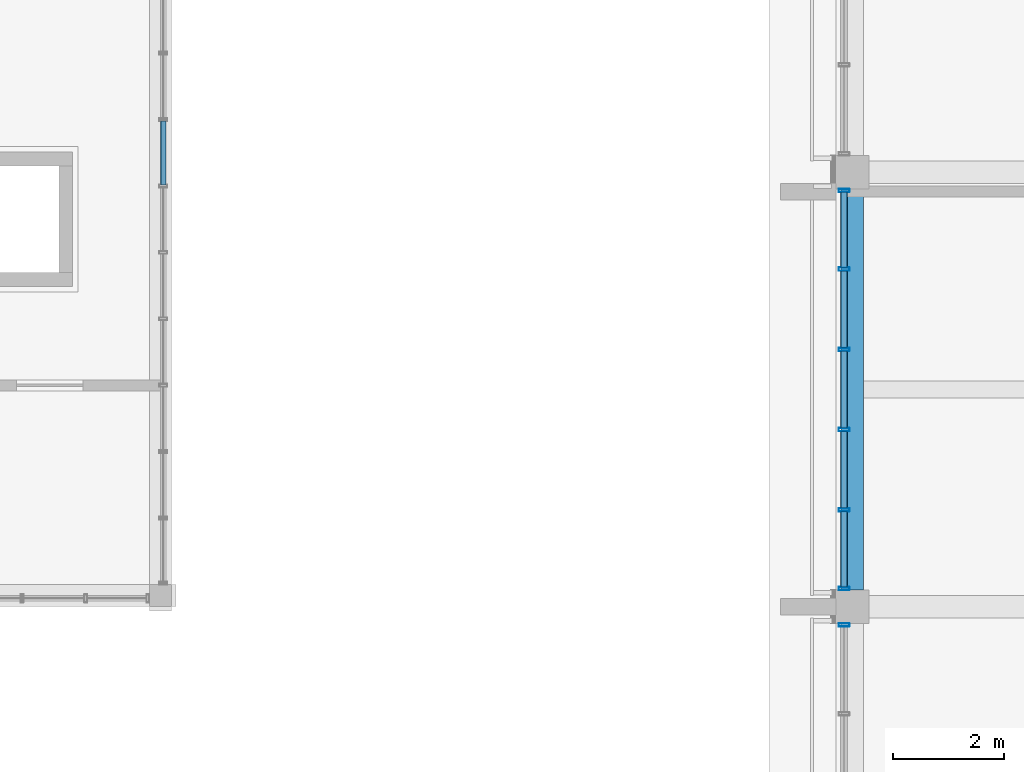
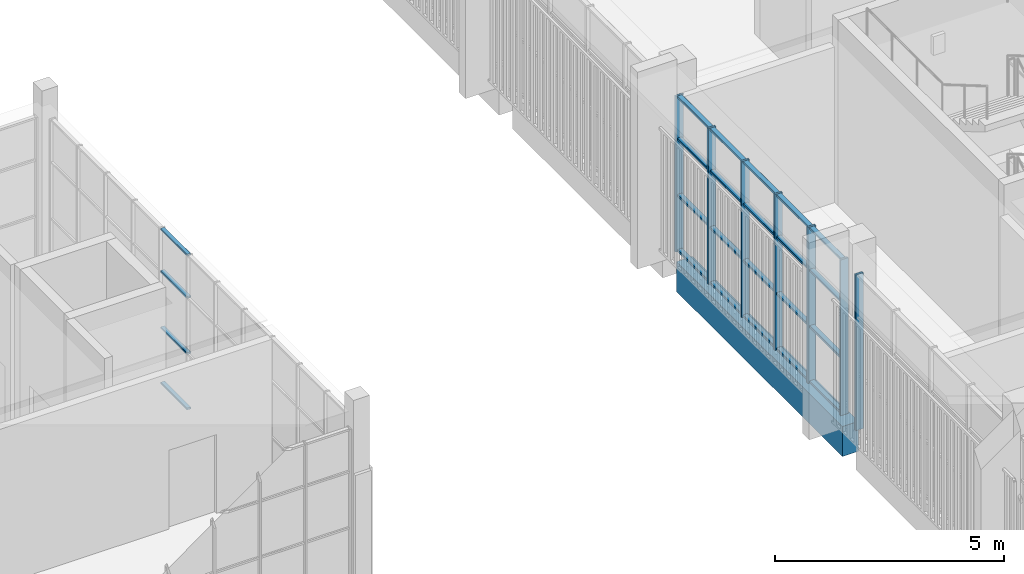
# One storey, part 39 of 125: 31 members, 1 beam, 3 elements without a shape of their own.
"""IFC4 building model written with IfcOpenShell, lengths in metres."""

from ifc_helpers import new_model, si_unit, direction, frame, origin, origin_2d, place, context, subcontext, project, spatial, rectangle, hollow_rectangle, extrude, material, material_profile, profile_set, type_object, element, aggregate, save


model = new_model("IFC4")

# Units and contexts
model_context = context("Model", 3, precision=1e-05, world=origin(), true_north=direction((0.0, 1.0)))
body_context = subcontext(model_context, "Body", "Model", "MODEL_VIEW")
ifc_project = project(units=[si_unit("LENGTHUNIT", "METRE"), si_unit("AREAUNIT", "SQUARE_METRE"), si_unit("VOLUMEUNIT", "CUBIC_METRE"), si_unit("PLANEANGLEUNIT", "RADIAN"), si_unit("MASSUNIT", "GRAM", prefix="KILO")], contexts=[model_context])

# Site, building, storey
site_placement = place(None, origin())
site = spatial("IfcSite", under=ifc_project, at=site_placement, CompositionType="ELEMENT")
building_placement = place(site_placement, origin())
building = spatial("IfcBuilding", under=site, at=building_placement, Name="Sun Court Science Centre", CompositionType="ELEMENT")
storey_placement = place(building_placement, frame((0.0, 0.0, 6.0)))
storey = spatial("IfcBuildingStorey", under=building, at=storey_placement, Name="L01", CompositionType="ELEMENT", Elevation=6.0)

# Curtain wall, member
ifc_material_1 = material(Name="Aluminium EN AW-6063 T6", Category="aluminium")
curtain_wall_type_1 = type_object("IfcCurtainWallType", Name="Laboratory tall bay curtain wall 1500", PredefinedType="NOTDEFINED", material=ifc_material_1)
curtain_wall_1_placement = place(storey_placement, origin())
curtain_wall_1 = element("IfcCurtainWall", 1, at=curtain_wall_1_placement, inside=storey, type_object=curtain_wall_type_1, Name="Curtain wall V4 W L01 03", PredefinedType="NOTDEFINED")
ifc_material_2 = material(Name="Aluminium EN AW-6063 T6", Category="aluminium")
ifc_material_profile_1 = material_profile(ifc_material_2, hollow_rectangle(XDim=0.06005859375, YDim=0.199951171875, WallThickness=0.0048828125, InnerFilletRadius=0.0048828125, OuterFilletRadius=0.007568359375, at=origin_2d()), Name="AL 60x200x5")
ifc_profile_set_1 = profile_set([ifc_material_profile_1], Name="Aluminium EN AW-6063 T6")
member_type_1 = type_object("IfcMemberType", Name="Curtain wall mullion AL 60x200", PredefinedType="MULLION", material=ifc_profile_set_1)
member_1_placement = place(storey_placement, frame((78.14990234375, 35.669921875, 0.0), z_axis=(0.0, 0.0, 1.0), x_axis=(0.0, 1.0, 0.0)))
member_1 = element("IfcMember", 2, at=member_1_placement, type_object=member_type_1, Name="CW2-12 mullion 5", PredefinedType="MULLION", context=body_context, shape_type="SweptSolid", body=[
    extrude(hollow_rectangle(XDim=0.06005859375, YDim=0.199951171875, WallThickness=0.0048828125, InnerFilletRadius=0.0048828125, OuterFilletRadius=0.007568359375, at=origin_2d()), origin(), (0.0, 0.0, 1.0), 4.14990234375),
])
aggregate(curtain_wall_1, [member_1])

# Curtain wall, members
curtain_wall_2_placement = place(storey_placement, origin())
curtain_wall_2 = element("IfcCurtainWall", 3, at=curtain_wall_2_placement, inside=storey, type_object=curtain_wall_type_1, Name="Curtain wall V4 W L01 04", PredefinedType="NOTDEFINED")
member_2_placement = place(storey_placement, frame((78.14990234375, 36.330078125, 0.0), z_axis=(0.0, 0.0, 1.0), x_axis=(0.0, 1.0, 0.0)))
member_2 = element("IfcMember", 4, at=member_2_placement, type_object=member_type_1, Name="CW2-13 mullion 1", PredefinedType="MULLION", context=body_context, shape_type="SweptSolid", body=[
    extrude(hollow_rectangle(XDim=0.06005859375, YDim=0.199951171875, WallThickness=0.0048828125, InnerFilletRadius=0.0048828125, OuterFilletRadius=0.007568359375, at=origin_2d()), origin(), (0.0, 0.0, 1.0), 4.14990234375),
])
member_3_placement = place(storey_placement, frame((78.14990234375, 37.75, 0.0), z_axis=(0.0, 0.0, 1.0), x_axis=(0.0, 1.0, 0.0)))
member_3 = element("IfcMember", 5, at=member_3_placement, type_object=member_type_1, Name="CW2-13 mullion 2", PredefinedType="MULLION", context=body_context, shape_type="SweptSolid", body=[
    extrude(hollow_rectangle(XDim=0.06005859375, YDim=0.199951171875, WallThickness=0.0048828125, InnerFilletRadius=0.0048828125, OuterFilletRadius=0.007568359375, at=origin_2d()), origin(), (0.0, 0.0, 1.0), 4.14990234375),
])
member_4_placement = place(storey_placement, frame((78.14990234375, 39.199951171875, 0.0), z_axis=(0.0, 0.0, 1.0), x_axis=(0.0, 1.0, 0.0)))
member_4 = element("IfcMember", 6, at=member_4_placement, type_object=member_type_1, Name="CW2-13 mullion 3", PredefinedType="MULLION", context=body_context, shape_type="SweptSolid", body=[
    extrude(hollow_rectangle(XDim=0.06005859375, YDim=0.199951171875, WallThickness=0.0048828125, InnerFilletRadius=0.0048828125, OuterFilletRadius=0.007568359375, at=origin_2d()), origin(), (0.0, 0.0, 1.0), 4.14990234375),
])
member_5_placement = place(storey_placement, frame((78.14990234375, 40.64990234375, 0.0), z_axis=(0.0, 0.0, 1.0), x_axis=(0.0, 1.0, 0.0)))
member_5 = element("IfcMember", 7, at=member_5_placement, type_object=member_type_1, Name="CW2-13 mullion 4", PredefinedType="MULLION", context=body_context, shape_type="SweptSolid", body=[
    extrude(hollow_rectangle(XDim=0.06005859375, YDim=0.199951171875, WallThickness=0.0048828125, InnerFilletRadius=0.0048828125, OuterFilletRadius=0.007568359375, at=origin_2d()), origin(), (0.0, 0.0, 1.0), 4.14990234375),
])
member_6_placement = place(storey_placement, frame((78.14990234375, 42.10009765625, 0.0), z_axis=(0.0, 0.0, 1.0), x_axis=(0.0, 1.0, 0.0)))
member_6 = element("IfcMember", 8, at=member_6_placement, type_object=member_type_1, Name="CW2-13 mullion 5", PredefinedType="MULLION", context=body_context, shape_type="SweptSolid", body=[
    extrude(hollow_rectangle(XDim=0.06005859375, YDim=0.199951171875, WallThickness=0.0048828125, InnerFilletRadius=0.0048828125, OuterFilletRadius=0.007568359375, at=origin_2d()), origin(), (0.0, 0.0, 1.0), 4.14990234375),
])
member_7_placement = place(storey_placement, frame((78.14990234375, 43.52001953125, 0.0), z_axis=(0.0, 0.0, 1.0), x_axis=(0.0, 1.0, 0.0)))
member_7 = element("IfcMember", 9, at=member_7_placement, type_object=member_type_1, Name="CW2-13 mullion 6", PredefinedType="MULLION", context=body_context, shape_type="SweptSolid", body=[
    extrude(hollow_rectangle(XDim=0.06005859375, YDim=0.199951171875, WallThickness=0.0048828125, InnerFilletRadius=0.0048828125, OuterFilletRadius=0.007568359375, at=origin_2d()), origin(), (0.0, 0.0, 1.0), 4.14990234375),
])

ifc_material_3 = material(Name="Aluminium EN AW-6063 T6", Category="aluminium")
curtain_wall_type_2 = type_object("IfcCurtainWallType", Name="Pavilion curtain wall 1200", PredefinedType="NOTDEFINED", material=ifc_material_3)
curtain_wall_3_placement = place(storey_placement, origin())
curtain_wall_3 = element("IfcCurtainWall", 10, at=curtain_wall_3_placement, inside=storey, type_object=curtain_wall_type_2, Name="Curtain wall V5 E L01 01", PredefinedType="NOTDEFINED")
ifc_material_4 = material(Name="Aluminium EN AW-6063 T6", Category="aluminium")
ifc_material_profile_2 = material_profile(ifc_material_4, hollow_rectangle(XDim=0.050048828125, YDim=0.10009765625, WallThickness=0.00390625, InnerFilletRadius=0.00390625, OuterFilletRadius=0.006103515625, at=origin_2d()), Name="AL 50x100x4")
ifc_profile_set_2 = profile_set([ifc_material_profile_2], Name="Aluminium EN AW-6063 T6")
member_type_2 = type_object("IfcMemberType", Name="Curtain wall transom AL 50x100", PredefinedType="USERDEFINED", material=ifc_profile_set_2)
member_8_placement = place(storey_placement, frame((65.85009765625, 44.77490234375, 0.02490234375), z_axis=(0.0, -1.0, 0.0), x_axis=(0.0, 0.0, 1.0)))
member_8 = element("IfcMember", 11, at=member_8_placement, type_object=member_type_2, Name="CW3-21 transom 5.1", ObjectType="TRANSOM", PredefinedType="USERDEFINED", context=body_context, shape_type="SweptSolid", body=[
    extrude(hollow_rectangle(XDim=0.050048828125, YDim=0.10009765625, WallThickness=0.00390625, InnerFilletRadius=0.00390625, OuterFilletRadius=0.006103515625, at=origin_2d()), origin(), (0.0, 0.0, 1.0), 1.14990234375),
])
member_9_placement = place(storey_placement, frame((65.85009765625, 44.77490234375, 1.5), z_axis=(0.0, -1.0, 0.0), x_axis=(0.0, 0.0, 1.0)))
member_9 = element("IfcMember", 12, at=member_9_placement, type_object=member_type_2, Name="CW3-21 transom 5.2", ObjectType="TRANSOM", PredefinedType="USERDEFINED", context=body_context, shape_type="SweptSolid", body=[
    extrude(hollow_rectangle(XDim=0.050048828125, YDim=0.10009765625, WallThickness=0.00390625, InnerFilletRadius=0.00390625, OuterFilletRadius=0.006103515625, at=origin_2d()), origin(), (0.0, 0.0, 1.0), 1.14990234375),
])
member_10_placement = place(storey_placement, frame((65.85009765625, 44.77490234375, 3.0), z_axis=(0.0, -1.0, 0.0), x_axis=(0.0, 0.0, 1.0)))
member_10 = element("IfcMember", 13, at=member_10_placement, type_object=member_type_2, Name="CW3-21 transom 5.3", ObjectType="TRANSOM", PredefinedType="USERDEFINED", context=body_context, shape_type="SweptSolid", body=[
    extrude(hollow_rectangle(XDim=0.050048828125, YDim=0.10009765625, WallThickness=0.00390625, InnerFilletRadius=0.00390625, OuterFilletRadius=0.006103515625, at=origin_2d()), origin(), (0.0, 0.0, 1.0), 1.14990234375),
])
member_11_placement = place(storey_placement, frame((65.85009765625, 44.77490234375, 4.125), z_axis=(0.0, -1.0, 0.0), x_axis=(0.0, 0.0, 1.0)))
member_11 = element("IfcMember", 14, at=member_11_placement, type_object=member_type_2, Name="CW3-21 transom 5.4", ObjectType="TRANSOM", PredefinedType="USERDEFINED", context=body_context, shape_type="SweptSolid", body=[
    extrude(hollow_rectangle(XDim=0.050048828125, YDim=0.10009765625, WallThickness=0.00390625, InnerFilletRadius=0.00390625, OuterFilletRadius=0.006103515625, at=origin_2d()), origin(), (0.0, 0.0, 1.0), 1.14990234375),
])
aggregate(curtain_wall_3, [member_8, member_9, member_10, member_11])

# Member
ifc_material_5 = material(Name="Aluminium EN AW-6063 T6", Category="aluminium")
ifc_material_profile_3 = material_profile(ifc_material_5, hollow_rectangle(XDim=0.06005859375, YDim=0.1201171875, WallThickness=0.00390625, InnerFilletRadius=0.00390625, OuterFilletRadius=0.006103515625, at=origin_2d()), Name="AL 60x120x4")
ifc_profile_set_3 = profile_set([ifc_material_profile_3], Name="Aluminium EN AW-6063 T6")
member_type_3 = type_object("IfcMemberType", Name="Curtain wall transom AL 60x120", PredefinedType="USERDEFINED", material=ifc_profile_set_3)
member_12_placement = place(storey_placement, frame((78.14990234375, 36.360107421875, 0.030029296875), z_axis=(0.0, 1.0, 0.0), x_axis=(0.0, 0.0, 1.0)))
member_12 = element("IfcMember", 15, at=member_12_placement, type_object=member_type_3, Name="CW2-13 transom 1.1", ObjectType="TRANSOM", PredefinedType="USERDEFINED", context=body_context, shape_type="SweptSolid", body=[
    extrude(hollow_rectangle(XDim=0.06005859375, YDim=0.1201171875, WallThickness=0.00390625, InnerFilletRadius=0.00390625, OuterFilletRadius=0.006103515625, at=origin_2d()), origin(), (0.0, 0.0, 1.0), 1.35986328125),
])

member_13_placement = place(storey_placement, frame((78.14990234375, 37.780029296875, 0.030029296875), z_axis=(0.0, 1.0, 0.0), x_axis=(0.0, 0.0, 1.0)))
member_13 = element("IfcMember", 16, at=member_13_placement, type_object=member_type_3, Name="CW2-13 transom 2.1", ObjectType="TRANSOM", PredefinedType="USERDEFINED", context=body_context, shape_type="SweptSolid", body=[
    extrude(hollow_rectangle(XDim=0.06005859375, YDim=0.1201171875, WallThickness=0.00390625, InnerFilletRadius=0.00390625, OuterFilletRadius=0.006103515625, at=origin_2d()), origin(), (0.0, 0.0, 1.0), 1.389892578125),
])

member_14_placement = place(storey_placement, frame((78.14990234375, 39.22998046875, 0.030029296875), z_axis=(0.0, 1.0, 0.0), x_axis=(0.0, 0.0, 1.0)))
member_14 = element("IfcMember", 17, at=member_14_placement, type_object=member_type_3, Name="CW2-13 transom 3.1", ObjectType="TRANSOM", PredefinedType="USERDEFINED", context=body_context, shape_type="SweptSolid", body=[
    extrude(hollow_rectangle(XDim=0.06005859375, YDim=0.1201171875, WallThickness=0.00390625, InnerFilletRadius=0.00390625, OuterFilletRadius=0.006103515625, at=origin_2d()), origin(), (0.0, 0.0, 1.0), 1.39013671875),
])

member_15_placement = place(storey_placement, frame((78.14990234375, 40.679931640625, 0.030029296875), z_axis=(0.0, 1.0, 0.0), x_axis=(0.0, 0.0, 1.0)))
member_15 = element("IfcMember", 18, at=member_15_placement, type_object=member_type_3, Name="CW2-13 transom 4.1", ObjectType="TRANSOM", PredefinedType="USERDEFINED", context=body_context, shape_type="SweptSolid", body=[
    extrude(hollow_rectangle(XDim=0.06005859375, YDim=0.1201171875, WallThickness=0.00390625, InnerFilletRadius=0.00390625, OuterFilletRadius=0.006103515625, at=origin_2d()), origin(), (0.0, 0.0, 1.0), 1.39013671875),
])

member_16_placement = place(storey_placement, frame((78.14990234375, 42.1298828125, 0.030029296875), z_axis=(0.0, 1.0, 0.0), x_axis=(0.0, 0.0, 1.0)))
member_16 = element("IfcMember", 19, at=member_16_placement, type_object=member_type_3, Name="CW2-13 transom 5.1", ObjectType="TRANSOM", PredefinedType="USERDEFINED", context=body_context, shape_type="SweptSolid", body=[
    extrude(hollow_rectangle(XDim=0.06005859375, YDim=0.1201171875, WallThickness=0.00390625, InnerFilletRadius=0.00390625, OuterFilletRadius=0.006103515625, at=origin_2d()), origin(), (0.0, 0.0, 1.0), 1.360107421875),
])

member_17_placement = place(storey_placement, frame((78.14990234375, 36.360107421875, 1.5), z_axis=(0.0, 1.0, 0.0), x_axis=(0.0, 0.0, 1.0)))
member_17 = element("IfcMember", 20, at=member_17_placement, type_object=member_type_3, Name="CW2-13 transom 1.2", ObjectType="TRANSOM", PredefinedType="USERDEFINED", context=body_context, shape_type="SweptSolid", body=[
    extrude(hollow_rectangle(XDim=0.06005859375, YDim=0.1201171875, WallThickness=0.00390625, InnerFilletRadius=0.00390625, OuterFilletRadius=0.006103515625, at=origin_2d()), origin(), (0.0, 0.0, 1.0), 1.35986328125),
])

member_18_placement = place(storey_placement, frame((78.14990234375, 37.780029296875, 1.5), z_axis=(0.0, 1.0, 0.0), x_axis=(0.0, 0.0, 1.0)))
member_18 = element("IfcMember", 21, at=member_18_placement, type_object=member_type_3, Name="CW2-13 transom 2.2", ObjectType="TRANSOM", PredefinedType="USERDEFINED", context=body_context, shape_type="SweptSolid", body=[
    extrude(hollow_rectangle(XDim=0.06005859375, YDim=0.1201171875, WallThickness=0.00390625, InnerFilletRadius=0.00390625, OuterFilletRadius=0.006103515625, at=origin_2d()), origin(), (0.0, 0.0, 1.0), 1.389892578125),
])

member_19_placement = place(storey_placement, frame((78.14990234375, 39.22998046875, 1.5), z_axis=(0.0, 1.0, 0.0), x_axis=(0.0, 0.0, 1.0)))
member_19 = element("IfcMember", 22, at=member_19_placement, type_object=member_type_3, Name="CW2-13 transom 3.2", ObjectType="TRANSOM", PredefinedType="USERDEFINED", context=body_context, shape_type="SweptSolid", body=[
    extrude(hollow_rectangle(XDim=0.06005859375, YDim=0.1201171875, WallThickness=0.00390625, InnerFilletRadius=0.00390625, OuterFilletRadius=0.006103515625, at=origin_2d()), origin(), (0.0, 0.0, 1.0), 1.39013671875),
])

member_20_placement = place(storey_placement, frame((78.14990234375, 40.679931640625, 1.5), z_axis=(0.0, 1.0, 0.0), x_axis=(0.0, 0.0, 1.0)))
member_20 = element("IfcMember", 23, at=member_20_placement, type_object=member_type_3, Name="CW2-13 transom 4.2", ObjectType="TRANSOM", PredefinedType="USERDEFINED", context=body_context, shape_type="SweptSolid", body=[
    extrude(hollow_rectangle(XDim=0.06005859375, YDim=0.1201171875, WallThickness=0.00390625, InnerFilletRadius=0.00390625, OuterFilletRadius=0.006103515625, at=origin_2d()), origin(), (0.0, 0.0, 1.0), 1.39013671875),
])

member_21_placement = place(storey_placement, frame((78.14990234375, 42.1298828125, 1.5), z_axis=(0.0, 1.0, 0.0), x_axis=(0.0, 0.0, 1.0)))
member_21 = element("IfcMember", 24, at=member_21_placement, type_object=member_type_3, Name="CW2-13 transom 5.2", ObjectType="TRANSOM", PredefinedType="USERDEFINED", context=body_context, shape_type="SweptSolid", body=[
    extrude(hollow_rectangle(XDim=0.06005859375, YDim=0.1201171875, WallThickness=0.00390625, InnerFilletRadius=0.00390625, OuterFilletRadius=0.006103515625, at=origin_2d()), origin(), (0.0, 0.0, 1.0), 1.360107421875),
])

member_22_placement = place(storey_placement, frame((78.14990234375, 36.360107421875, 3.0), z_axis=(0.0, 1.0, 0.0), x_axis=(0.0, 0.0, 1.0)))
member_22 = element("IfcMember", 25, at=member_22_placement, type_object=member_type_3, Name="CW2-13 transom 1.3", ObjectType="TRANSOM", PredefinedType="USERDEFINED", context=body_context, shape_type="SweptSolid", body=[
    extrude(hollow_rectangle(XDim=0.06005859375, YDim=0.1201171875, WallThickness=0.00390625, InnerFilletRadius=0.00390625, OuterFilletRadius=0.006103515625, at=origin_2d()), origin(), (0.0, 0.0, 1.0), 1.35986328125),
])

member_23_placement = place(storey_placement, frame((78.14990234375, 37.780029296875, 3.0), z_axis=(0.0, 1.0, 0.0), x_axis=(0.0, 0.0, 1.0)))
member_23 = element("IfcMember", 26, at=member_23_placement, type_object=member_type_3, Name="CW2-13 transom 2.3", ObjectType="TRANSOM", PredefinedType="USERDEFINED", context=body_context, shape_type="SweptSolid", body=[
    extrude(hollow_rectangle(XDim=0.06005859375, YDim=0.1201171875, WallThickness=0.00390625, InnerFilletRadius=0.00390625, OuterFilletRadius=0.006103515625, at=origin_2d()), origin(), (0.0, 0.0, 1.0), 1.389892578125),
])

member_24_placement = place(storey_placement, frame((78.14990234375, 39.22998046875, 3.0), z_axis=(0.0, 1.0, 0.0), x_axis=(0.0, 0.0, 1.0)))
member_24 = element("IfcMember", 27, at=member_24_placement, type_object=member_type_3, Name="CW2-13 transom 3.3", ObjectType="TRANSOM", PredefinedType="USERDEFINED", context=body_context, shape_type="SweptSolid", body=[
    extrude(hollow_rectangle(XDim=0.06005859375, YDim=0.1201171875, WallThickness=0.00390625, InnerFilletRadius=0.00390625, OuterFilletRadius=0.006103515625, at=origin_2d()), origin(), (0.0, 0.0, 1.0), 1.39013671875),
])

member_25_placement = place(storey_placement, frame((78.14990234375, 40.679931640625, 3.0), z_axis=(0.0, 1.0, 0.0), x_axis=(0.0, 0.0, 1.0)))
member_25 = element("IfcMember", 28, at=member_25_placement, type_object=member_type_3, Name="CW2-13 transom 4.3", ObjectType="TRANSOM", PredefinedType="USERDEFINED", context=body_context, shape_type="SweptSolid", body=[
    extrude(hollow_rectangle(XDim=0.06005859375, YDim=0.1201171875, WallThickness=0.00390625, InnerFilletRadius=0.00390625, OuterFilletRadius=0.006103515625, at=origin_2d()), origin(), (0.0, 0.0, 1.0), 1.39013671875),
])

member_26_placement = place(storey_placement, frame((78.14990234375, 42.1298828125, 3.0), z_axis=(0.0, 1.0, 0.0), x_axis=(0.0, 0.0, 1.0)))
member_26 = element("IfcMember", 29, at=member_26_placement, type_object=member_type_3, Name="CW2-13 transom 5.3", ObjectType="TRANSOM", PredefinedType="USERDEFINED", context=body_context, shape_type="SweptSolid", body=[
    extrude(hollow_rectangle(XDim=0.06005859375, YDim=0.1201171875, WallThickness=0.00390625, InnerFilletRadius=0.00390625, OuterFilletRadius=0.006103515625, at=origin_2d()), origin(), (0.0, 0.0, 1.0), 1.360107421875),
])

member_27_placement = place(storey_placement, frame((78.14990234375, 36.360107421875, 4.1201171875), z_axis=(0.0, 1.0, 0.0), x_axis=(0.0, 0.0, 1.0)))
member_27 = element("IfcMember", 30, at=member_27_placement, type_object=member_type_3, Name="CW2-13 transom 1.4", ObjectType="TRANSOM", PredefinedType="USERDEFINED", context=body_context, shape_type="SweptSolid", body=[
    extrude(hollow_rectangle(XDim=0.06005859375, YDim=0.1201171875, WallThickness=0.00390625, InnerFilletRadius=0.00390625, OuterFilletRadius=0.006103515625, at=origin_2d()), origin(), (0.0, 0.0, 1.0), 1.35986328125),
])

member_28_placement = place(storey_placement, frame((78.14990234375, 37.780029296875, 4.1201171875), z_axis=(0.0, 1.0, 0.0), x_axis=(0.0, 0.0, 1.0)))
member_28 = element("IfcMember", 31, at=member_28_placement, type_object=member_type_3, Name="CW2-13 transom 2.4", ObjectType="TRANSOM", PredefinedType="USERDEFINED", context=body_context, shape_type="SweptSolid", body=[
    extrude(hollow_rectangle(XDim=0.06005859375, YDim=0.1201171875, WallThickness=0.00390625, InnerFilletRadius=0.00390625, OuterFilletRadius=0.006103515625, at=origin_2d()), origin(), (0.0, 0.0, 1.0), 1.389892578125),
])

member_29_placement = place(storey_placement, frame((78.14990234375, 39.22998046875, 4.1201171875), z_axis=(0.0, 1.0, 0.0), x_axis=(0.0, 0.0, 1.0)))
member_29 = element("IfcMember", 32, at=member_29_placement, type_object=member_type_3, Name="CW2-13 transom 3.4", ObjectType="TRANSOM", PredefinedType="USERDEFINED", context=body_context, shape_type="SweptSolid", body=[
    extrude(hollow_rectangle(XDim=0.06005859375, YDim=0.1201171875, WallThickness=0.00390625, InnerFilletRadius=0.00390625, OuterFilletRadius=0.006103515625, at=origin_2d()), origin(), (0.0, 0.0, 1.0), 1.39013671875),
])

member_30_placement = place(storey_placement, frame((78.14990234375, 40.679931640625, 4.1201171875), z_axis=(0.0, 1.0, 0.0), x_axis=(0.0, 0.0, 1.0)))
member_30 = element("IfcMember", 33, at=member_30_placement, type_object=member_type_3, Name="CW2-13 transom 4.4", ObjectType="TRANSOM", PredefinedType="USERDEFINED", context=body_context, shape_type="SweptSolid", body=[
    extrude(hollow_rectangle(XDim=0.06005859375, YDim=0.1201171875, WallThickness=0.00390625, InnerFilletRadius=0.00390625, OuterFilletRadius=0.006103515625, at=origin_2d()), origin(), (0.0, 0.0, 1.0), 1.39013671875),
])

member_31_placement = place(storey_placement, frame((78.14990234375, 42.1298828125, 4.1201171875), z_axis=(0.0, 1.0, 0.0), x_axis=(0.0, 0.0, 1.0)))
member_31 = element("IfcMember", 34, at=member_31_placement, type_object=member_type_3, Name="CW2-13 transom 5.4", ObjectType="TRANSOM", PredefinedType="USERDEFINED", context=body_context, shape_type="SweptSolid", body=[
    extrude(hollow_rectangle(XDim=0.06005859375, YDim=0.1201171875, WallThickness=0.00390625, InnerFilletRadius=0.00390625, OuterFilletRadius=0.006103515625, at=origin_2d()), origin(), (0.0, 0.0, 1.0), 1.360107421875),
])

aggregate(curtain_wall_2, [member_2, member_3, member_4, member_5, member_6, member_7, member_12, member_13, member_14, member_15, member_16, member_17, member_18, member_19, member_20, member_21, member_22, member_23, member_24, member_25, member_26, member_27, member_28, member_29, member_30, member_31])

# Beam
ifc_material_6 = material(Name="Concrete C25/30", Category="concrete")
ifc_material_profile_4 = material_profile(ifc_material_6, rectangle(XDim=0.39990234375, YDim=0.800048828125, at=origin_2d()), Name="RC 400x800")
ifc_profile_set_4 = profile_set([ifc_material_profile_4], Name="Concrete C25/30")
beam_type = type_object("IfcBeamType", Name="RC girder 400x800", PredefinedType="BEAM", material=ifc_profile_set_4)
beam_placement = place(storey_placement, frame((78.300048828125, 36.300048828125, -0.699951171875), z_axis=(0.0, 1.0, 0.0), x_axis=(-1.0, 0.0, 0.0)))
element("IfcBeam", 35, at=beam_placement, inside=storey, type_object=beam_type, Name="Girder L01 line 1", PredefinedType="BEAM", context=body_context, shape_type="SweptSolid", body=[
    extrude(rectangle(XDim=0.39990234375, YDim=0.800048828125, at=origin_2d()), origin(), (0.0, 0.0, 1.0), 7.25),
])

save(model, "model.ifc")
